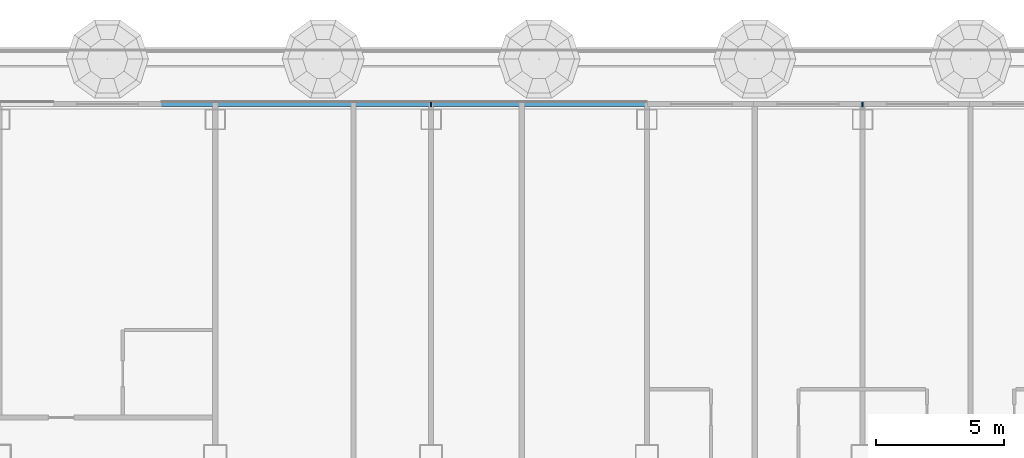
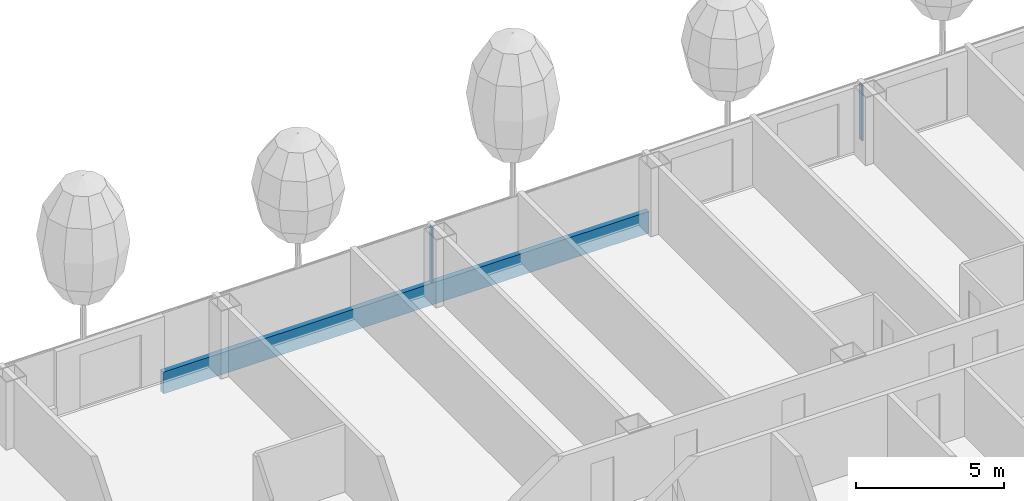
# One storey, part 6 of 34: 3 members, 1 element without a shape of its own.
"""IFC4 building model written with IfcOpenShell, lengths in metres."""

from ifc_helpers import new_model, si_unit, direction, frame, origin, origin_2d, place, context, subcontext, project, spatial, rectangle, extrude, material, layer, layer_set, material_profile, profile_set, type_object, element, aggregate, save


model = new_model("IFC4")

# Units and contexts
model_context = context("Model", 3, precision=1e-05, world=origin(), true_north=direction((0.0, 1.0)))
body_context = subcontext(model_context, "Body", "Model", "MODEL_VIEW")
ifc_project = project(units=[si_unit("LENGTHUNIT", "METRE"), si_unit("AREAUNIT", "SQUARE_METRE"), si_unit("VOLUMEUNIT", "CUBIC_METRE"), si_unit("PLANEANGLEUNIT", "RADIAN"), si_unit("MASSUNIT", "GRAM", prefix="KILO")], contexts=[model_context])

# Site, building, storey
site_placement = place(None, origin())
site = spatial("IfcSite", under=ifc_project, at=site_placement, CompositionType="ELEMENT")
building_placement = place(site_placement, origin())
building = spatial("IfcBuilding", under=site, at=building_placement, Name="Hakoniwa Tower and Hamabe Station Hall", CompositionType="ELEMENT")
storey_placement = place(building_placement, frame((0.0, 0.0, 94.60009765625)))
storey = spatial("IfcBuildingStorey", under=building, at=storey_placement, Name="L26", CompositionType="ELEMENT", Elevation=94.60009765625)

# Curtain wall, members
ifc_material_1 = material(Name="Dark low-e laminated glass", Category="glass")
ifc_layer = layer(ifc_material_1, 0.199951171875)
ifc_layer_set = layer_set([ifc_layer], Name="CW-1 UNITISED GUEST")
curtain_wall_type = type_object("IfcCurtainWallType", Name="CW-1 UNITISED GUEST", PredefinedType="NOTDEFINED", material=ifc_layer_set)
curtain_wall_placement = place(storey_placement, origin())
curtain_wall = element("IfcCurtainWall", 1, at=curtain_wall_placement, inside=storey, type_object=curtain_wall_type, Name="CW-1 curtain wall", PredefinedType="NOTDEFINED")
ifc_material_2 = material(Name="Aluminium 6063-T5 black anodised", Category="aluminium")
ifc_material_profile_1 = material_profile(ifc_material_2, rectangle(XDim=0.199951171875, YDim=0.89990234375, at=origin_2d()), Name="CW SLAB-EDGE BAND 900X200")
ifc_profile_set_1 = profile_set([ifc_material_profile_1], Name="Aluminium 6063-T5 black anodised")
member_type_1 = type_object("IfcMemberType", Name="CW SLAB-EDGE BAND 900X200", PredefinedType="USERDEFINED", material=ifc_profile_set_1)
member_1_placement = place(storey_placement, frame((0.06005859375, 23.449951171875, -0.10009765625), z_axis=(-1.0, 0.0, 0.0), x_axis=(0.0, -1.0, 0.0)))
member_1 = element("IfcMember", 2, at=member_1_placement, type_object=member_type_1, Name="CW-1 transom", ObjectType="TRANSOM", PredefinedType="USERDEFINED", context=body_context, shape_type="SweptSolid", body=[
    extrude(rectangle(XDim=0.199951171875, YDim=0.89990234375, at=origin_2d()), origin(), (0.0, 0.0, 1.0), 18.989990234375),
])
ifc_material_3 = material(Name="Aluminium 6063-T5 black anodised", Category="aluminium")
ifc_material_profile_2 = material_profile(ifc_material_3, rectangle(XDim=0.06005859375, YDim=0.179931640625, at=origin_2d()), Name="CW-1 MULLION 60X180")
ifc_profile_set_2 = profile_set([ifc_material_profile_2], Name="Aluminium 6063-T5 black anodised")
member_type_2 = type_object("IfcMemberType", Name="CW-1 MULLION 60X180", PredefinedType="MULLION", material=ifc_profile_set_2)
member_2_placement = place(storey_placement, frame((8.39990234375, 23.431884765625, 0.349853515625), z_axis=(0.0, 0.0, 1.0), x_axis=(-1.0, 0.0, 0.0)))
member_2 = element("IfcMember", 3, at=member_2_placement, type_object=member_type_2, Name="CW-1 mullion", PredefinedType="MULLION", context=body_context, shape_type="SweptSolid", body=[
    extrude(rectangle(XDim=0.06005859375, YDim=0.179931640625, at=origin_2d()), origin(), (0.0, 0.0, 1.0), 2.300048828125),
])
member_3_placement = place(storey_placement, frame((-8.39990234375, 23.431884765625, 0.349853515625), z_axis=(0.0, 0.0, 1.0), x_axis=(-1.0, 0.0, 0.0)))
member_3 = element("IfcMember", 4, at=member_3_placement, type_object=member_type_2, Name="CW-1 mullion", PredefinedType="MULLION", context=body_context, shape_type="SweptSolid", body=[
    extrude(rectangle(XDim=0.06005859375, YDim=0.179931640625, at=origin_2d()), origin(), (0.0, 0.0, 1.0), 2.300048828125),
])
aggregate(curtain_wall, [member_2, member_3, member_1])

save(model, "model.ifc")
